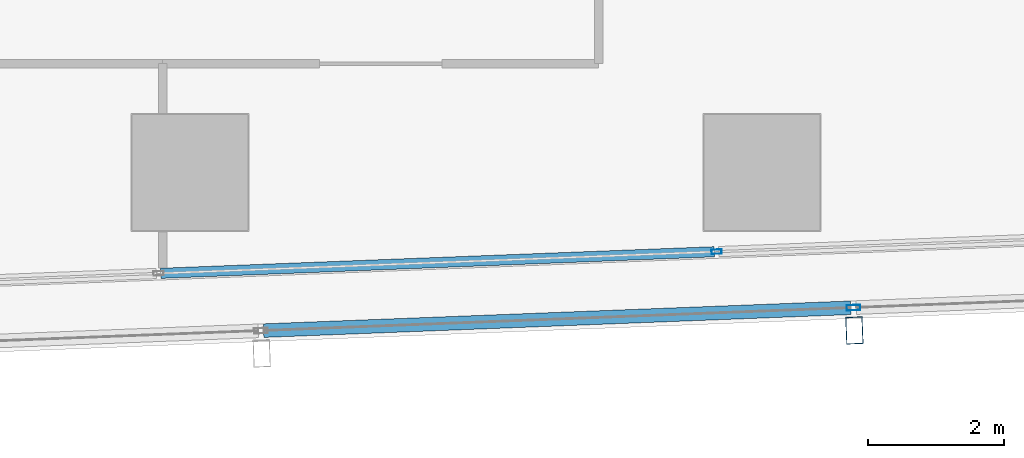
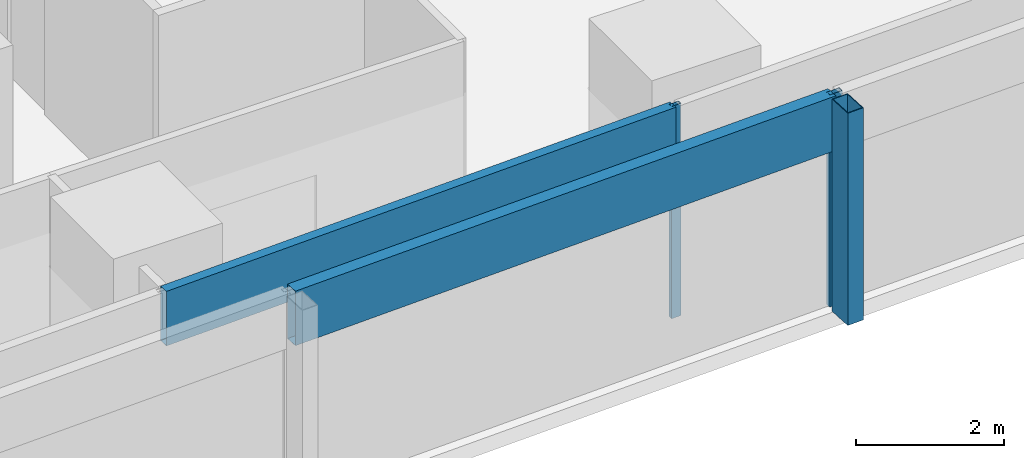
# One storey, part 11 of 40: 5 members, 2 elements without a shape of their own.
"""IFC4 building model written with IfcOpenShell, lengths in metres."""

from ifc_helpers import new_model, si_unit, direction, frame, origin, origin_2d, place, context, subcontext, project, spatial, hollow_rectangle, extrude, material, material_profile, profile_set, type_object, element, aggregate, save


model = new_model("IFC4")

# Units and contexts
model_context = context("Model", 3, precision=1e-05, world=origin(), true_north=direction((0.0, 1.0)))
body_context = subcontext(model_context, "Body", "Model", "MODEL_VIEW")
ifc_project = project(units=[si_unit("LENGTHUNIT", "METRE"), si_unit("AREAUNIT", "SQUARE_METRE"), si_unit("VOLUMEUNIT", "CUBIC_METRE"), si_unit("PLANEANGLEUNIT", "RADIAN"), si_unit("MASSUNIT", "GRAM", prefix="KILO")], contexts=[model_context])

# Site, building, storey
site_placement = place(None, origin())
site = spatial("IfcSite", under=ifc_project, at=site_placement, CompositionType="ELEMENT")
building_placement = place(site_placement, origin())
building = spatial("IfcBuilding", under=site, at=building_placement, Name="Rekha Terrace Tower", CompositionType="ELEMENT")
storey_placement = place(building_placement, frame((0.0, 0.0, 129.050048828125)))
storey = spatial("IfcBuildingStorey", under=building, at=storey_placement, Name="L32", CompositionType="ELEMENT", Elevation=129.050048828125)

# Curtain wall, member
ifc_material_1 = material(Name="Aluminium framing", Category="aluminium")
curtain_wall_type_1 = type_object("IfcCurtainWallType", Name="CW2 double skin outer glazing", PredefinedType="USERDEFINED", material=ifc_material_1)
curtain_wall_1_placement = place(storey_placement, origin())
curtain_wall_1 = element("IfcCurtainWall", 1, at=curtain_wall_1_placement, inside=storey, type_object=curtain_wall_type_1, Name="CW2 double skin outer glazing", ObjectType="DOUBLE SKIN OUTER GLAZING", PredefinedType="USERDEFINED")
ifc_material_2 = material(Name="Steel S355 with fluorocarbon finish", Category="steel")
ifc_material_profile_1 = material_profile(ifc_material_2, hollow_rectangle(XDim=0.25, YDim=0.39990234375, WallThickness=0.012451171875, at=origin_2d()), Name="RHS400x250x12.5")
ifc_profile_set_1 = profile_set([ifc_material_profile_1], Name="Steel S355 with fluorocarbon finish")
member_type_1 = type_object("IfcMemberType", Name="BL1 facade blade RHS 400 x 250", PredefinedType="USERDEFINED", material=ifc_profile_set_1)
member_1_placement = place(storey_placement, frame((60.1572265625, 14.480712890625, 0.0), z_axis=(0.0, 0.0, 1.0), x_axis=(0.999243494356, 0.038890088543, 0.0)))
member_1 = element("IfcMember", 2, at=member_1_placement, type_object=member_type_1, Name="Facade blade", ObjectType="FACADE BLADE", PredefinedType="USERDEFINED", context=body_context, shape_type="SweptSolid", body=[
    extrude(hollow_rectangle(XDim=0.25, YDim=0.39990234375, WallThickness=0.012451171875, at=origin_2d()), origin(), (0.0, 0.0, 1.0), 3.5),
])

# Curtain wall, members
curtain_wall_type_2 = type_object("IfcCurtainWallType", Name="CW1 double skin inner glazing", PredefinedType="USERDEFINED", material=ifc_material_1)
curtain_wall_2_placement = place(storey_placement, origin())
curtain_wall_2 = element("IfcCurtainWall", 3, at=curtain_wall_2_placement, inside=storey, type_object=curtain_wall_type_2, Name="CW1 double skin inner glazing", ObjectType="DOUBLE SKIN INNER GLAZING", PredefinedType="USERDEFINED")
ifc_material_3 = material(Name="Aluminium mullion section", Category="aluminium")
ifc_material_profile_2 = material_profile(ifc_material_3, hollow_rectangle(XDim=0.06494140625, YDim=0.14990234375, WallThickness=0.00390625, at=origin_2d()), Name="AL RHS 65x150")
ifc_profile_set_2 = profile_set([ifc_material_profile_2], Name="Aluminium mullion section")
member_type_2 = type_object("IfcMemberType", Name="CW1 mullion RHS 65 x 150", PredefinedType="MULLION", material=ifc_profile_set_2)
member_2_placement = place(storey_placement, frame((58.13330078125, 15.637939453125, 0.0), z_axis=(0.0, 0.0, 1.0), x_axis=(-0.038889971345, 0.999243498917, 0.0)))
member_2 = element("IfcMember", 4, at=member_2_placement, type_object=member_type_2, Name="CW1 mullion 5", PredefinedType="MULLION", context=body_context, shape_type="SweptSolid", body=[
    extrude(hollow_rectangle(XDim=0.06494140625, YDim=0.14990234375, WallThickness=0.00390625, at=origin_2d()), origin(), (0.0, 0.0, 1.0), 3.5),
])
ifc_material_4 = material(Name="Insulated aluminium spandrel box", Category="aluminium")
ifc_material_profile_3 = material_profile(ifc_material_4, hollow_rectangle(XDim=0.14990234375, YDim=0.89990234375, WallThickness=0.0029296875, at=origin_2d()), Name="AL SPANDREL BOX 150x900")
ifc_profile_set_3 = profile_set([ifc_material_profile_3], Name="Insulated aluminium spandrel box")
member_type_3 = type_object("IfcMemberType", Name="CW1 spandrel transom 150 x 900", PredefinedType="USERDEFINED", material=ifc_profile_set_3)
member_3_placement = place(storey_placement, frame((49.96923828125, 15.320068359375, 3.050048828125), z_axis=(0.999242669674, 0.038911272182, 0.0), x_axis=(-0.038911272182, 0.999242669674, 0.0)))
member_3 = element("IfcMember", 5, at=member_3_placement, type_object=member_type_3, Name="CW1 spandrel transom 4", ObjectType="TRANSOM", PredefinedType="USERDEFINED", context=body_context, shape_type="SweptSolid", body=[
    extrude(hollow_rectangle(XDim=0.14990234375, YDim=0.89990234375, WallThickness=0.0029296875, at=origin_2d()), origin(), (0.0, 0.0, 1.0), 8.1376953125),
])
aggregate(curtain_wall_2, [member_2, member_3])

# Member
ifc_material_profile_4 = material_profile(ifc_material_3, hollow_rectangle(XDim=0.080078125, YDim=0.199951171875, WallThickness=0.00390625, at=origin_2d()), Name="AL RHS 80x200")
ifc_profile_set_4 = profile_set([ifc_material_profile_4], Name="Aluminium mullion section")
member_type_4 = type_object("IfcMemberType", Name="CW2 mullion RHS 80 x 200", PredefinedType="MULLION", material=ifc_profile_set_4)
member_4_placement = place(storey_placement, frame((60.14404296875, 14.8154296875, 0.0), z_axis=(0.0, 0.0, 1.0), x_axis=(-0.038889971345, 0.999243498917, 0.0)))
member_4 = element("IfcMember", 6, at=member_4_placement, type_object=member_type_4, Name="CW2 mullion 5", PredefinedType="MULLION", context=body_context, shape_type="SweptSolid", body=[
    extrude(hollow_rectangle(XDim=0.080078125, YDim=0.199951171875, WallThickness=0.00390625, at=origin_2d()), origin(), (0.0, 0.0, 1.0), 3.5),
])

ifc_material_profile_5 = material_profile(ifc_material_4, hollow_rectangle(XDim=0.199951171875, YDim=0.89990234375, WallThickness=0.0029296875, at=origin_2d()), Name="AL SPANDREL BOX 200x900")
ifc_profile_set_5 = profile_set([ifc_material_profile_5], Name="Insulated aluminium spandrel box")
member_type_5 = type_object("IfcMemberType", Name="CW2 spandrel transom 200 x 900", PredefinedType="USERDEFINED", material=ifc_profile_set_5)
member_5_placement = place(storey_placement, frame((51.47900390625, 14.478271484375, 3.050048828125), z_axis=(0.999243481303, 0.038890423923, 0.0), x_axis=(-0.038890423923, 0.999243481303, 0.0)))
member_5 = element("IfcMember", 7, at=member_5_placement, type_object=member_type_5, Name="CW2 spandrel transom 4", ObjectType="TRANSOM", PredefinedType="USERDEFINED", context=body_context, shape_type="SweptSolid", body=[
    extrude(hollow_rectangle(XDim=0.199951171875, YDim=0.89990234375, WallThickness=0.0029296875, at=origin_2d()), origin(), (0.0, 0.0, 1.0), 8.6318359375),
])

aggregate(curtain_wall_1, [member_4, member_5, member_1])

save(model, "model.ifc")
